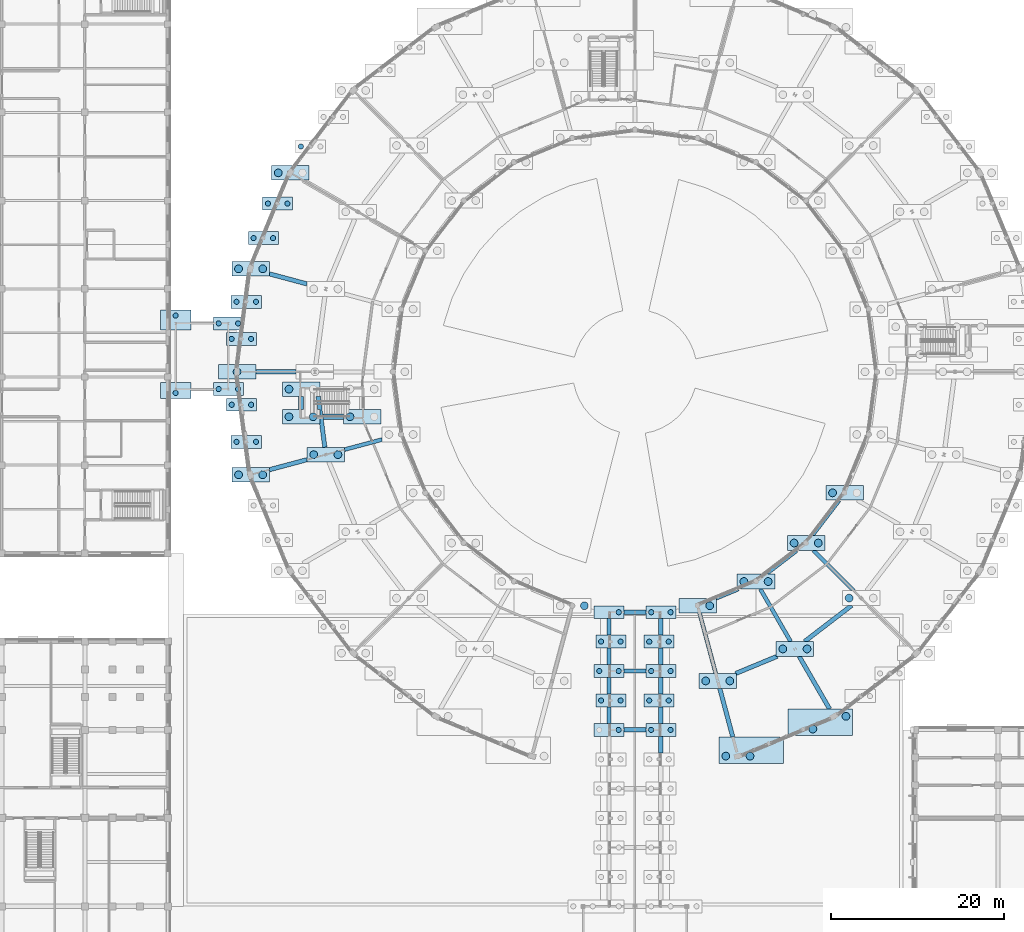
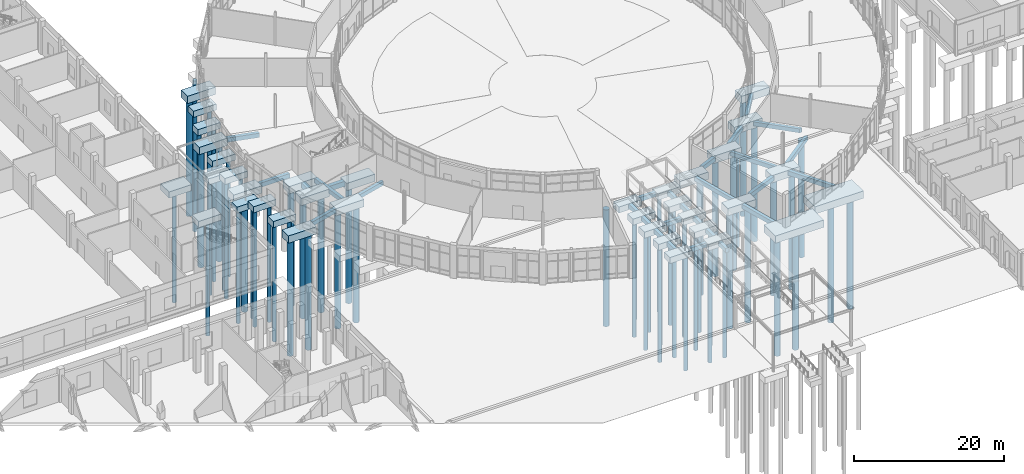
# One storey, part 2 of 137: 65 footings, 65 piles.
"""IFC4 building model written with IfcOpenShell, lengths in metres."""

from ifc_helpers import new_model, si_unit, direction, frame, origin, origin_2d, place, context, subcontext, project, spatial, polyline, rectangle, circle, outline, extrude, material, material_profile, profile_set, type_object, element, save


model = new_model("IFC4")

# Units and contexts
model_context = context("Model", 3, precision=1e-05, world=origin(), true_north=direction((0.0, 1.0)))
body_context = subcontext(model_context, "Body", "Model", "MODEL_VIEW")
ifc_project = project(units=[si_unit("LENGTHUNIT", "METRE"), si_unit("AREAUNIT", "SQUARE_METRE"), si_unit("VOLUMEUNIT", "CUBIC_METRE"), si_unit("PLANEANGLEUNIT", "RADIAN"), si_unit("MASSUNIT", "GRAM", prefix="KILO")], contexts=[model_context])

# Site, building, storey
site_placement = place(None, origin())
site = spatial("IfcSite", under=ifc_project, at=site_placement, CompositionType="ELEMENT")
building_placement = place(site_placement, origin())
building = spatial("IfcBuilding", under=site, at=building_placement, Name="Vondelvale Polytechnic", CompositionType="ELEMENT")
storey_placement = place(building_placement, origin())
storey = spatial("IfcBuildingStorey", under=building, at=storey_placement, Name="L00", CompositionType="ELEMENT", Elevation=0.0)

# Footings
ifc_material = material(Name="Concrete N40 (f'c = 40 MPa)", Category="concrete")
footing_type_1 = type_object("IfcFootingType", Name="GB-450x650", PredefinedType="FOOTING_BEAM", material=ifc_material)
footing_1_placement = place(storey_placement, frame((0.0, 0.0, -1.050048828125)))
element("IfcFooting", 1, at=footing_1_placement, inside=storey, type_object=footing_type_1, Name="Ground tie beam GB-098", PredefinedType="FOOTING_BEAM", context=body_context, shape_type="SweptSolid", body=[
    extrude(outline(polyline([(72.725830078125, 64.388916015625), (72.783935546875, 64.171630859375), (72.783935546875, 63.938720703125), (68.4892578125, 62.787841796875), (68.430908203125, 63.005126953125), (68.430908203125, 63.23828125), (72.725830078125, 64.388916015625)])), origin(), (0.0, 0.0, 1.0), 0.650146484375),
])
footing_2_placement = place(storey_placement, frame((0.0, 0.0, -1.050048828125)))
element("IfcFooting", 2, at=footing_2_placement, inside=storey, type_object=footing_type_1, Name="Ground tie beam GB-108", PredefinedType="FOOTING_BEAM", context=body_context, shape_type="SweptSolid", body=[
    extrude(outline(polyline([(109.25732421875, 44.0458984375), (109.474609375, 44.10400390625), (109.70751953125, 44.10400390625), (111.56591796875, 37.169189453125), (111.348388671875, 37.111083984375), (111.115478515625, 37.111083984375), (109.25732421875, 44.0458984375)])), origin(), (0.0, 0.0, 1.0), 0.650146484375),
])
footing_3_placement = place(storey_placement, frame((0.0, 0.0, -1.050048828125)))
element("IfcFooting", 3, at=footing_3_placement, inside=storey, type_object=footing_type_1, Name="Ground tie beam GB-110", PredefinedType="FOOTING_BEAM", context=body_context, shape_type="SweptSolid", body=[
    extrude(outline(polyline([(116.296142578125, 46.78857421875), (116.490966796875, 46.90087890625), (116.750732421875, 46.90087890625), (120.2041015625, 40.91943359375), (120.00927734375, 40.806884765625), (119.74951171875, 40.806884765625), (116.296142578125, 46.78857421875)])), origin(), (0.0, 0.0, 1.0), 0.650146484375),
])
footing_4_placement = place(storey_placement, frame((0.0, 0.0, -1.050048828125)))
element("IfcFooting", 4, at=footing_4_placement, inside=storey, type_object=footing_type_1, Name="Ground tie beam GB-112", PredefinedType="FOOTING_BEAM", context=body_context, shape_type="SweptSolid", body=[
    extrude(outline(polyline([(122.489990234375, 51.19189453125), (122.64892578125, 51.35107421875), (122.96728515625, 51.35107421875), (127.47216796875, 46.84619140625), (127.31298828125, 46.68701171875), (126.994873046875, 46.68701171875), (122.489990234375, 51.19189453125)])), origin(), (0.0, 0.0, 1.0), 0.650146484375),
])
footing_type_2 = type_object("IfcFootingType", Name="GB-500x700", PredefinedType="FOOTING_BEAM", material=ifc_material)
footing_5_placement = place(storey_placement, frame((0.0, 0.0, -1.10009765625)))
element("IfcFooting", 5, at=footing_5_placement, inside=storey, type_object=footing_type_2, Name="Ground tie beam GB-095", PredefinedType="FOOTING_BEAM", context=body_context, shape_type="SweptSolid", body=[
    extrude(outline(polyline([(59.8017578125, 83.56591796875), (64.091064453125, 82.41650390625), (64.091064453125, 82.15771484375), (64.0263671875, 81.916259765625), (59.737060546875, 83.0654296875), (59.737060546875, 83.32421875), (59.8017578125, 83.56591796875)])), origin(), (0.0, 0.0, 1.0), 0.7001953125),
])
footing_6_placement = place(storey_placement, frame((0.0, 0.0, -1.10009765625)))
element("IfcFooting", 6, at=footing_6_placement, inside=storey, type_object=footing_type_2, Name="Ground tie beam GB-097", PredefinedType="FOOTING_BEAM", context=body_context, shape_type="SweptSolid", body=[
    extrude(outline(polyline([(62.830078125, 72.25), (62.830078125, 71.75), (58.169921875, 71.75), (58.169921875, 72.25), (62.830078125, 72.25)])), origin(), (0.0, 0.0, 1.0), 0.7001953125),
])
footing_7_placement = place(storey_placement, frame((0.0, 0.0, -1.10009765625)))
element("IfcFooting", 7, at=footing_7_placement, inside=storey, type_object=footing_type_2, Name="Ground tie beam GB-099", PredefinedType="FOOTING_BEAM", context=body_context, shape_type="SweptSolid", body=[
    extrude(outline(polyline([(64.0263671875, 62.083740234375), (64.091064453125, 61.84228515625), (64.091064453125, 61.58349609375), (59.8017578125, 60.43408203125), (59.737060546875, 60.67578125), (59.737060546875, 60.9345703125), (64.0263671875, 62.083740234375)])), origin(), (0.0, 0.0, 1.0), 0.7001953125),
])
footing_8_placement = place(storey_placement, frame((0.0, 0.0, -1.10009765625)))
element("IfcFooting", 8, at=footing_8_placement, inside=storey, type_object=footing_type_2, Name="Ground tie beam GB-109", PredefinedType="FOOTING_BEAM", context=body_context, shape_type="SweptSolid", body=[
    extrude(outline(polyline([(111.5625, 35.34619140625), (111.803955078125, 35.410888671875), (112.062744140625, 35.410888671875), (113.55224609375, 29.852783203125), (113.310791015625, 29.7880859375), (113.052001953125, 29.7880859375), (111.5625, 35.34619140625)])), origin(), (0.0, 0.0, 1.0), 0.7001953125),
])
footing_9_placement = place(storey_placement, frame((0.0, 0.0, -1.10009765625)))
element("IfcFooting", 9, at=footing_9_placement, inside=storey, type_object=footing_type_2, Name="Ground tie beam GB-111", PredefinedType="FOOTING_BEAM", context=body_context, shape_type="SweptSolid", body=[
    extrude(outline(polyline([(120.7744140625, 38.98193359375), (120.99072265625, 39.10693359375), (121.279541015625, 39.10693359375), (124.7255859375, 33.137939453125), (124.509033203125, 33.012939453125), (124.220458984375, 33.012939453125), (120.7744140625, 38.98193359375)])), origin(), (0.0, 0.0, 1.0), 0.7001953125),
])
footing_10_placement = place(storey_placement, frame((0.0, 0.0, -1.10009765625)))
element("IfcFooting", 10, at=footing_10_placement, inside=storey, type_object=footing_type_2, Name="Ground tie beam GB-142", PredefinedType="FOOTING_BEAM", context=body_context, shape_type="SweptSolid", body=[
    extrude(outline(polyline([(65.127197265625, 69.117431640625), (65.375244140625, 69.14990234375), (65.570068359375, 69.14990234375), (65.570068359375, 69.175537109375), (65.623046875, 69.1826171875), (66.396484375, 63.306640625), (66.148681640625, 63.27392578125), (65.896484375, 63.27392578125), (65.544189453125, 65.949951171875), (65.570068359375, 65.949951171875), (65.570068359375, 67.64990234375), (65.320556640625, 67.64990234375), (65.127197265625, 69.117431640625)])), origin(), (0.0, 0.0, 1.0), 0.7001953125),
])
footing_11_placement = place(storey_placement, frame((0.0, 0.0, -1.10009765625)))
element("IfcFooting", 11, at=footing_11_placement, inside=storey, type_object=footing_type_2, Name="Ground tie beam GB-151", PredefinedType="FOOTING_BEAM", context=body_context, shape_type="SweptSolid", body=[
    extrude(outline(polyline([(114.042724609375, 46.669921875), (111.4169921875, 45.58251953125), (111.4169921875, 45.803955078125), (111.298828125, 45.803955078125), (111.203125, 46.034912109375), (113.830078125, 47.123046875), (113.830078125, 46.90087890625), (113.947265625, 46.90087890625), (114.042724609375, 46.669921875)])), origin(), (0.0, 0.0, 1.0), 0.7001953125),
])
footing_12_placement = place(storey_placement, frame((0.0, 0.0, -1.10009765625)))
element("IfcFooting", 12, at=footing_12_placement, inside=storey, type_object=footing_type_2, Name="Ground tie beam GB-152", PredefinedType="FOOTING_BEAM", context=body_context, shape_type="SweptSolid", body=[
    extrude(outline(polyline([(118.54345703125, 38.8759765625), (113.74609375, 36.888916015625), (113.74609375, 37.111083984375), (113.629150390625, 37.111083984375), (113.533447265625, 37.342041015625), (118.330078125, 39.328857421875), (118.330078125, 39.10693359375), (118.44775390625, 39.10693359375), (118.54345703125, 38.8759765625)])), origin(), (0.0, 0.0, 1.0), 0.7001953125),
])
footing_13_placement = place(storey_placement, frame((0.0, 0.0, -1.10009765625)))
element("IfcFooting", 13, at=footing_13_placement, inside=storey, type_object=footing_type_2, Name="Ground tie beam GB-153", PredefinedType="FOOTING_BEAM", context=body_context, shape_type="SweptSolid", body=[
    extrude(outline(polyline([(120.843505859375, 51.152587890625), (117.51806640625, 48.60107421875), (117.107421875, 48.60107421875), (116.955078125, 48.79931640625), (120.280517578125, 51.35107421875), (120.69140625, 51.35107421875), (120.843505859375, 51.152587890625)])), origin(), (0.0, 0.0, 1.0), 0.7001953125),
])
footing_14_placement = place(storey_placement, frame((0.0, 0.0, -1.10009765625)))
element("IfcFooting", 14, at=footing_14_placement, inside=storey, type_object=footing_type_2, Name="Ground tie beam GB-154", PredefinedType="FOOTING_BEAM", context=body_context, shape_type="SweptSolid", body=[
    extrude(outline(polyline([(127.20751953125, 44.788818359375), (122.018310546875, 40.806884765625), (121.607666015625, 40.806884765625), (121.455322265625, 41.00537109375), (126.64453125, 44.987060546875), (127.05517578125, 44.987060546875), (127.20751953125, 44.788818359375)])), origin(), (0.0, 0.0, 1.0), 0.7001953125),
])
footing_15_placement = place(storey_placement, frame((0.0, 0.0, -1.10009765625)))
element("IfcFooting", 15, at=footing_15_placement, inside=storey, type_object=footing_type_2, Name="Ground tie beam GB-155", PredefinedType="FOOTING_BEAM", context=body_context, shape_type="SweptSolid", body=[
    extrude(outline(polyline([(125.794921875, 56.997802734375), (122.766357421875, 53.051025390625), (122.451171875, 53.051025390625), (122.2529296875, 53.203125), (125.281494140625, 57.14990234375), (125.596435546875, 57.14990234375), (125.794921875, 56.997802734375)])), origin(), (0.0, 0.0, 1.0), 0.7001953125),
])
footing_16_placement = place(storey_placement, frame((0.0, 0.0, -1.449951171875)))
element("IfcFooting", 16, at=footing_16_placement, inside=storey, type_object=footing_type_2, Name="Ground tie beam GB-187", PredefinedType="FOOTING_BEAM", context=body_context, shape_type="SweptSolid", body=[
    extrude(outline(polyline([(100.7451171875, 30.35009765625), (100.7451171875, 30.85009765625), (103.2548828125, 30.85009765625), (103.2548828125, 30.35009765625), (100.7451171875, 30.35009765625)])), origin(), (0.0, 0.0, 1.0), 0.699951171875),
])
footing_17_placement = place(storey_placement, frame((0.0, 0.0, -1.449951171875)))
element("IfcFooting", 17, at=footing_17_placement, inside=storey, type_object=footing_type_2, Name="Ground tie beam GB-188", PredefinedType="FOOTING_BEAM", context=body_context, shape_type="SweptSolid", body=[
    extrude(outline(polyline([(100.7451171875, 37.14990234375), (100.7451171875, 37.64990234375), (103.2548828125, 37.64990234375), (103.2548828125, 37.14990234375), (100.7451171875, 37.14990234375)])), origin(), (0.0, 0.0, 1.0), 0.699951171875),
])
footing_18_placement = place(storey_placement, frame((0.0, 0.0, -1.449951171875)))
element("IfcFooting", 18, at=footing_18_placement, inside=storey, type_object=footing_type_2, Name="Ground tie beam GB-189", PredefinedType="FOOTING_BEAM", context=body_context, shape_type="SweptSolid", body=[
    extrude(outline(polyline([(100.7451171875, 43.949951171875), (100.7451171875, 44.449951171875), (103.2548828125, 44.449951171875), (103.2548828125, 43.949951171875), (100.7451171875, 43.949951171875)])), origin(), (0.0, 0.0, 1.0), 0.699951171875),
])
footing_19_placement = place(storey_placement, frame((0.0, 0.0, -1.449951171875)))
element("IfcFooting", 19, at=footing_19_placement, inside=storey, type_object=footing_type_2, Name="Ground tie beam GB-201", PredefinedType="FOOTING_BEAM", context=body_context, shape_type="SweptSolid", body=[
    extrude(outline(polyline([(105.25, 27.949951171875), (104.75, 27.949951171875), (104.75, 29.85009765625), (105.25, 29.85009765625), (105.25, 27.949951171875)])), origin(), (0.0, 0.0, 1.0), 0.699951171875),
])
footing_20_placement = place(storey_placement, frame((0.0, 0.0, -1.449951171875)))
element("IfcFooting", 20, at=footing_20_placement, inside=storey, type_object=footing_type_2, Name="Ground tie beam GB-202", PredefinedType="FOOTING_BEAM", context=body_context, shape_type="SweptSolid", body=[
    extrude(outline(polyline([(99.25, 31.35009765625), (98.75, 31.35009765625), (98.75, 33.25), (99.25, 33.25), (99.25, 31.35009765625)])), origin(), (0.0, 0.0, 1.0), 0.699951171875),
])
footing_21_placement = place(storey_placement, frame((0.0, 0.0, -1.449951171875)))
element("IfcFooting", 21, at=footing_21_placement, inside=storey, type_object=footing_type_2, Name="Ground tie beam GB-203", PredefinedType="FOOTING_BEAM", context=body_context, shape_type="SweptSolid", body=[
    extrude(outline(polyline([(99.25, 34.75), (98.75, 34.75), (98.75, 36.64990234375), (99.25, 36.64990234375), (99.25, 34.75)])), origin(), (0.0, 0.0, 1.0), 0.699951171875),
])
footing_22_placement = place(storey_placement, frame((0.0, 0.0, -1.449951171875)))
element("IfcFooting", 22, at=footing_22_placement, inside=storey, type_object=footing_type_2, Name="Ground tie beam GB-204", PredefinedType="FOOTING_BEAM", context=body_context, shape_type="SweptSolid", body=[
    extrude(outline(polyline([(105.25, 31.35009765625), (104.75, 31.35009765625), (104.75, 33.25), (105.25, 33.25), (105.25, 31.35009765625)])), origin(), (0.0, 0.0, 1.0), 0.699951171875),
])
footing_23_placement = place(storey_placement, frame((0.0, 0.0, -1.449951171875)))
element("IfcFooting", 23, at=footing_23_placement, inside=storey, type_object=footing_type_2, Name="Ground tie beam GB-205", PredefinedType="FOOTING_BEAM", context=body_context, shape_type="SweptSolid", body=[
    extrude(outline(polyline([(105.25, 34.75), (104.75, 34.75), (104.75, 36.64990234375), (105.25, 36.64990234375), (105.25, 34.75)])), origin(), (0.0, 0.0, 1.0), 0.699951171875),
])
footing_24_placement = place(storey_placement, frame((0.0, 0.0, -1.449951171875)))
element("IfcFooting", 24, at=footing_24_placement, inside=storey, type_object=footing_type_2, Name="Ground tie beam GB-206", PredefinedType="FOOTING_BEAM", context=body_context, shape_type="SweptSolid", body=[
    extrude(outline(polyline([(99.25, 38.14990234375), (98.75, 38.14990234375), (98.75, 40.050048828125), (99.25, 40.050048828125), (99.25, 38.14990234375)])), origin(), (0.0, 0.0, 1.0), 0.699951171875),
])
footing_25_placement = place(storey_placement, frame((0.0, 0.0, -1.449951171875)))
element("IfcFooting", 25, at=footing_25_placement, inside=storey, type_object=footing_type_2, Name="Ground tie beam GB-207", PredefinedType="FOOTING_BEAM", context=body_context, shape_type="SweptSolid", body=[
    extrude(outline(polyline([(99.25, 41.550048828125), (98.75, 41.550048828125), (98.75, 43.449951171875), (99.25, 43.449951171875), (99.25, 41.550048828125)])), origin(), (0.0, 0.0, 1.0), 0.699951171875),
])
footing_26_placement = place(storey_placement, frame((0.0, 0.0, -1.449951171875)))
element("IfcFooting", 26, at=footing_26_placement, inside=storey, type_object=footing_type_2, Name="Ground tie beam GB-208", PredefinedType="FOOTING_BEAM", context=body_context, shape_type="SweptSolid", body=[
    extrude(outline(polyline([(105.25, 38.14990234375), (104.75, 38.14990234375), (104.75, 40.050048828125), (105.25, 40.050048828125), (105.25, 38.14990234375)])), origin(), (0.0, 0.0, 1.0), 0.699951171875),
])
footing_27_placement = place(storey_placement, frame((0.0, 0.0, -1.449951171875)))
element("IfcFooting", 27, at=footing_27_placement, inside=storey, type_object=footing_type_2, Name="Ground tie beam GB-209", PredefinedType="FOOTING_BEAM", context=body_context, shape_type="SweptSolid", body=[
    extrude(outline(polyline([(105.25, 41.550048828125), (104.75, 41.550048828125), (104.75, 43.449951171875), (105.25, 43.449951171875), (105.25, 41.550048828125)])), origin(), (0.0, 0.0, 1.0), 0.699951171875),
])
footing_type_3 = type_object("IfcFootingType", Name="GB-600x800", PredefinedType="FOOTING_BEAM", material=ifc_material)
footing_28_placement = place(storey_placement, frame((0.0, 0.0, -1.199951171875)))
element("IfcFooting", 28, at=footing_28_placement, inside=storey, type_object=footing_type_3, Name="Ground tie beam GB-217", PredefinedType="FOOTING_BEAM", context=body_context, shape_type="SweptSolid", body=[
    extrude(outline(polyline([(63.10009765625, 69.14990234375), (63.699951171875, 69.14990234375), (63.699951171875, 67.64990234375), (63.10009765625, 67.64990234375), (63.10009765625, 69.14990234375)])), origin(), (0.0, 0.0, 1.0), 0.800048828125),
])
footing_29_placement = place(storey_placement, frame((0.0, 0.0, -1.199951171875)))
element("IfcFooting", 29, at=footing_29_placement, inside=storey, type_object=footing_type_3, Name="Ground tie beam GB-218", PredefinedType="FOOTING_BEAM", context=body_context, shape_type="SweptSolid", body=[
    extrude(outline(polyline([(65.976318359375, 66.5), (65.936767578125, 66.800048828125), (65.936767578125, 67.10009765625), (68.280029296875, 67.10009765625), (68.280029296875, 66.5), (65.976318359375, 66.5)])), origin(), (0.0, 0.0, 1.0), 0.800048828125),
])
footing_type_4 = type_object("IfcFootingType", Name="PC-3490x1500x1000", PredefinedType="PILE_CAP", material=ifc_material)
for number, where, z_axis, x_axis, name in (
    (30, (55.0, 70.0, -2.02001953125), (0.0, 0.0, 1.0), (1.0, 0.0, 0.0), "Pile cap PC-084"),
    (31, (55.0, 77.60009765625, -2.02001953125), (0.0, 0.0, 1.0), (1.0, 0.0, 0.0), "Pile cap PC-085"),
    (32, (56.501953125, 68.18994140625, -1.39990234375), (0.0, 0.0, 1.0), (1.0, 0.0, 0.0), "Pile cap PC-087"),
    (33, (56.501953125, 75.81005859375, -1.39990234375), (0.0, 0.0, 1.0), (1.0, 0.0, 0.0), "Pile cap PC-088"),
    (34, (57.06591796875, 63.904052734375, -1.39990234375), (0.0, 0.0, 1.0), (1.0, 0.0, 0.0), "Pile cap PC-089"),
    (35, (57.06591796875, 80.095947265625, -1.39990234375), (0.0, 0.0, 1.0), (1.0, 0.0, 0.0), "Pile cap PC-090"),
    (36, (59.0380859375, 87.4560546875, -1.39990234375), (0.0, 0.0, 1.0), (1.0, 0.0, 0.0), "Pile cap PC-094"),
    (37, (60.69189453125, 91.449951171875, -1.39990234375), (0.0, 0.0, 1.0), (1.0, 0.0, 0.0), "Pile cap PC-096"),
    (38, (99.0, 30.60009765625, -1.75), (0.0, 0.0, 1.0), (1.0, 0.0, 0.0), "Pile cap PC-146"),
    (39, (99.0, 37.39990234375, -1.75), (0.0, 0.0, 1.0), (1.0, 0.0, 0.0), "Pile cap PC-147"),
    (40, (99.0, 44.199951171875, -1.75), (0.0, 0.0, 1.0), (1.0, 0.0, 0.0), "Pile cap PC-148"),
    (41, (99.219970703125, 34.0, -1.75), (0.0, 0.0, 1.0), (1.0, 0.0, 0.0), "Pile cap PC-152"),
    (42, (99.219970703125, 40.800048828125, -1.75), (0.0, 0.0, 1.0), (1.0, 0.0, 0.0), "Pile cap PC-153"),
    (43, (104.780029296875, 34.0, -1.75), (0.0, 0.0, 1.0), (1.0, 0.0, 0.0), "Pile cap PC-158"),
    (44, (104.780029296875, 40.800048828125, -1.75), (0.0, 0.0, 1.0), (1.0, 0.0, 0.0), "Pile cap PC-159"),
    (45, (105.0, 30.60009765625, -1.75), (0.0, 0.0, 1.0), (1.0, 0.0, 0.0), "Pile cap PC-163"),
    (46, (105.0, 37.39990234375, -1.75), (0.0, 0.0, 1.0), (1.0, 0.0, 0.0), "Pile cap PC-164"),
    (47, (105.0, 44.199951171875, -1.75), (0.0, 0.0, 1.0), (1.0, 0.0, 0.0), "Pile cap PC-165"),
):
    element("IfcFooting", number, at=place(storey_placement, frame(where, z_axis=z_axis, x_axis=x_axis)), inside=storey, type_object=footing_type_4, Name=name, PredefinedType="PILE_CAP", context=body_context, shape_type="SweptSolid", body=[
        extrude(rectangle(XDim=3.489990234375, YDim=1.5, at=origin_2d()), origin(), (0.0, 0.0, 1.0), 1.0),
    ])
footing_type_5 = type_object("IfcFootingType", Name="PC-3490x1820x1000", PredefinedType="PILE_CAP", material=ifc_material)
footing_30_placement = place(storey_placement, frame((48.89990234375, 69.840087890625, -2.02001953125), z_axis=(0.0, 0.0, 1.0), x_axis=(1.0, 0.0, 0.0)))
element("IfcFooting", 48, at=footing_30_placement, inside=storey, type_object=footing_type_5, Name="Pile cap PC-082", PredefinedType="PILE_CAP", context=body_context, shape_type="SweptSolid", body=[
    extrude(rectangle(XDim=3.489990234375, YDim=1.820068359375, at=origin_2d()), origin(), (0.0, 0.0, 1.0), 1.0),
])
footing_type_6 = type_object("IfcFootingType", Name="PC-3490x2270x1000", PredefinedType="PILE_CAP", material=ifc_material)
footing_31_placement = place(storey_placement, frame((48.89990234375, 77.985107421875, -2.02001953125), z_axis=(0.0, 0.0, 1.0), x_axis=(1.0, 0.0, 0.0)))
element("IfcFooting", 49, at=footing_31_placement, inside=storey, type_object=footing_type_6, Name="Pile cap PC-083", PredefinedType="PILE_CAP", context=body_context, shape_type="SweptSolid", body=[
    extrude(rectangle(XDim=3.489990234375, YDim=2.27001953125, at=origin_2d()), origin(), (0.0, 0.0, 1.0), 1.0),
])
footing_type_7 = type_object("IfcFootingType", Name="PC-4340x1700x1200", PredefinedType="PILE_CAP", material=ifc_material)
for number, where, z_axis, x_axis, name in (
    (50, (56.0, 72.0, -1.60009765625), (0.0, 0.0, 1.0), (1.0, 0.0, 0.0), "Pile cap PC-086"),
    (51, (57.56689453125, 60.093994140625, -1.60009765625), (0.0, 0.0, 1.0), (1.0, 0.0, 0.0), "Pile cap PC-091"),
    (52, (57.56689453125, 83.906005859375, -1.60009765625), (0.0, 0.0, 1.0), (1.0, 0.0, 0.0), "Pile cap PC-092"),
    (53, (62.1630859375, 95.0, -1.60009765625), (0.0, 0.0, 1.0), (1.0, 0.0, 0.0), "Pile cap PC-098"),
    (54, (63.39990234375, 66.800048828125, -1.60009765625), (0.0, 0.0, 1.0), (1.0, 0.0, 0.0), "Pile cap PC-099"),
    (55, (63.39990234375, 70.0, -1.60009765625), (0.0, 0.0, 1.0), (1.0, 0.0, 0.0), "Pile cap PC-100"),
    (56, (66.260986328125, 62.424072265625, -1.60009765625), (0.0, 0.0, 1.0), (1.0, 0.0, 0.0), "Pile cap PC-104"),
    (57, (70.449951171875, 66.800048828125, -1.60009765625), (0.0, 0.0, 1.0), (1.0, 0.0, 0.0), "Pile cap PC-112"),
    (58, (109.2470703125, 44.9541015625, -1.60009765625), (0.0, 0.0, 1.0), (1.0, 0.0, 0.0), "Pile cap PC-168"),
    (59, (111.575927734375, 36.260986328125, -1.60009765625), (0.0, 0.0, 1.0), (1.0, 0.0, 0.0), "Pile cap PC-171"),
    (60, (116.0, 47.7509765625, -1.60009765625), (0.0, 0.0, 1.0), (1.0, 0.0, 0.0), "Pile cap PC-174"),
    (61, (120.5, 39.95703125, -1.60009765625), (0.0, 0.0, 1.0), (1.0, 0.0, 0.0), "Pile cap PC-176"),
    (62, (121.799072265625, 52.200927734375, -1.60009765625), (0.0, 0.0, 1.0), (1.0, 0.0, 0.0), "Pile cap PC-180"),
    (63, (126.2490234375, 58.0, -1.60009765625), (0.0, 0.0, 1.0), (1.0, 0.0, 0.0), "Pile cap PC-182"),
):
    element("IfcFooting", number, at=place(storey_placement, frame(where, z_axis=z_axis, x_axis=x_axis)), inside=storey, type_object=footing_type_7, Name=name, PredefinedType="PILE_CAP", context=body_context, shape_type="SweptSolid", body=[
        extrude(rectangle(XDim=4.340087890625, YDim=1.699951171875, at=origin_2d()), origin(), (0.0, 0.0, 1.0), 1.199951171875),
    ])
footing_type_8 = type_object("IfcFootingType", Name="PC-7465x3071x1200", PredefinedType="PILE_CAP", material=ifc_material)
for number, where, z_axis, x_axis, name in (
    (64, (115.468994140625, 28.251953125, -1.60009765625), (0.0, 0.0, 1.0), (1.0, 0.0, 0.0), "Pile cap PC-173"),
    (65, (123.43798828125, 31.47705078125, -1.60009765625), (0.0, 0.0, 1.0), (1.0, 0.0, 0.0), "Pile cap PC-178"),
):
    element("IfcFooting", number, at=place(storey_placement, frame(where, z_axis=z_axis, x_axis=x_axis)), inside=storey, type_object=footing_type_8, Name=name, PredefinedType="PILE_CAP", context=body_context, shape_type="SweptSolid", body=[
        extrude(rectangle(XDim=7.465087890625, YDim=3.071044921875, at=origin_2d()), origin(), (0.0, 0.0, 1.0), 1.199951171875),
    ])

# Piles
ifc_material_profile_1 = material_profile(ifc_material, circle(Radius=0.300048828125, at=origin_2d()), Name="PILE-D600")
ifc_profile_set_1 = profile_set([ifc_material_profile_1], Name="Concrete N40 (f'c = 40 MPa)")
pile_type_1 = type_object("IfcPileType", Name="PILE-BORED-600", PredefinedType="BORED", material=ifc_profile_set_1)
for number, where, z_axis, x_axis, name in (
    (66, (48.89990234375, 69.550048828125, -1.8701171875), (0.0, 0.0, -1.0), (1.0, 0.0, 0.0), "Bored pile BP-600-082-1"),
    (67, (48.89990234375, 78.5, -1.8701171875), (0.0, 0.0, -1.0), (1.0, 0.0, 0.0), "Bored pile BP-600-083-1"),
    (68, (53.875, 70.0, -1.8701171875), (0.0, 0.0, -1.0), (1.0, 0.0, 0.0), "Bored pile BP-600-084-1"),
    (69, (56.125, 70.0, -1.8701171875), (0.0, 0.0, -1.0), (1.0, 0.0, 0.0), "Bored pile BP-600-084-2"),
    (70, (53.875, 77.60009765625, -1.8701171875), (0.0, 0.0, -1.0), (1.0, 0.0, 0.0), "Bored pile BP-600-085-1"),
    (71, (56.125, 77.60009765625, -1.8701171875), (0.0, 0.0, -1.0), (1.0, 0.0, 0.0), "Bored pile BP-600-085-2"),
):
    element("IfcPile", number, at=place(storey_placement, frame(where, z_axis=z_axis, x_axis=x_axis)), inside=storey, type_object=pile_type_1, Name=name, PredefinedType="BORED", context=body_context, shape_type="SweptSolid", body=[
        extrude(circle(Radius=0.300048828125, at=origin_2d()), origin(), (0.0, 0.0, 1.0), 18.6298828125),
    ])
for number, where, z_axis, x_axis, name in (
    (72, (55.376953125, 68.18994140625, -1.25), (0.0, 0.0, -1.0), (1.0, 0.0, 0.0), "Bored pile BP-600-087-1"),
    (73, (57.626953125, 68.18994140625, -1.25), (0.0, 0.0, -1.0), (1.0, 0.0, 0.0), "Bored pile BP-600-087-2"),
    (74, (55.376953125, 75.81005859375, -1.25), (0.0, 0.0, -1.0), (1.0, 0.0, 0.0), "Bored pile BP-600-088-1"),
    (75, (57.626953125, 75.81005859375, -1.25), (0.0, 0.0, -1.0), (1.0, 0.0, 0.0), "Bored pile BP-600-088-2"),
    (76, (55.94091796875, 63.904052734375, -1.25), (0.0, 0.0, -1.0), (1.0, 0.0, 0.0), "Bored pile BP-600-089-1"),
    (77, (58.19091796875, 63.904052734375, -1.25), (0.0, 0.0, -1.0), (1.0, 0.0, 0.0), "Bored pile BP-600-089-2"),
    (78, (55.94091796875, 80.095947265625, -1.25), (0.0, 0.0, -1.0), (1.0, 0.0, 0.0), "Bored pile BP-600-090-1"),
    (79, (58.19091796875, 80.095947265625, -1.25), (0.0, 0.0, -1.0), (1.0, 0.0, 0.0), "Bored pile BP-600-090-2"),
    (80, (57.9130859375, 87.4560546875, -1.25), (0.0, 0.0, -1.0), (1.0, 0.0, 0.0), "Bored pile BP-600-094-1"),
    (81, (60.1630859375, 87.4560546875, -1.25), (0.0, 0.0, -1.0), (1.0, 0.0, 0.0), "Bored pile BP-600-094-2"),
    (82, (59.56689453125, 91.449951171875, -1.25), (0.0, 0.0, -1.0), (1.0, 0.0, 0.0), "Bored pile BP-600-096-1"),
    (83, (61.81689453125, 91.449951171875, -1.25), (0.0, 0.0, -1.0), (1.0, 0.0, 0.0), "Bored pile BP-600-096-2"),
    (84, (63.376953125, 98.049072265625, -1.25), (0.0, 0.0, -1.0), (1.0, 0.0, 0.0), "Bored pile BP-600-102-1"),
):
    element("IfcPile", number, at=place(storey_placement, frame(where, z_axis=z_axis, x_axis=x_axis)), inside=storey, type_object=pile_type_1, Name=name, PredefinedType="BORED", context=body_context, shape_type="SweptSolid", body=[
        extrude(circle(Radius=0.300048828125, at=origin_2d()), origin(), (0.0, 0.0, 1.0), 19.25),
    ])
for number, where, z_axis, x_axis, name in (
    (85, (100.125, 30.60009765625, -1.60009765625), (0.0, 0.0, -1.0), (1.0, 0.0, 0.0), "Bored pile BP-600-146-2"),
    (86, (97.875, 37.39990234375, -1.60009765625), (0.0, 0.0, -1.0), (1.0, 0.0, 0.0), "Bored pile BP-600-147-1"),
    (87, (100.125, 37.39990234375, -1.60009765625), (0.0, 0.0, -1.0), (1.0, 0.0, 0.0), "Bored pile BP-600-147-2"),
    (88, (100.125, 44.199951171875, -1.60009765625), (0.0, 0.0, -1.0), (1.0, 0.0, 0.0), "Bored pile BP-600-148-1"),
    (89, (98.094970703125, 34.0, -1.60009765625), (0.0, 0.0, -1.0), (1.0, 0.0, 0.0), "Bored pile BP-600-152-1"),
    (90, (100.344970703125, 34.0, -1.60009765625), (0.0, 0.0, -1.0), (1.0, 0.0, 0.0), "Bored pile BP-600-152-2"),
    (91, (98.094970703125, 40.800048828125, -1.60009765625), (0.0, 0.0, -1.0), (1.0, 0.0, 0.0), "Bored pile BP-600-153-1"),
    (92, (100.344970703125, 40.800048828125, -1.60009765625), (0.0, 0.0, -1.0), (1.0, 0.0, 0.0), "Bored pile BP-600-153-2"),
    (93, (103.655029296875, 34.0, -1.60009765625), (0.0, 0.0, -1.0), (1.0, 0.0, 0.0), "Bored pile BP-600-158-1"),
    (94, (105.905029296875, 34.0, -1.60009765625), (0.0, 0.0, -1.0), (1.0, 0.0, 0.0), "Bored pile BP-600-158-2"),
    (95, (103.655029296875, 40.800048828125, -1.60009765625), (0.0, 0.0, -1.0), (1.0, 0.0, 0.0), "Bored pile BP-600-159-1"),
    (96, (105.905029296875, 40.800048828125, -1.60009765625), (0.0, 0.0, -1.0), (1.0, 0.0, 0.0), "Bored pile BP-600-159-2"),
    (97, (103.875, 30.60009765625, -1.60009765625), (0.0, 0.0, -1.0), (1.0, 0.0, 0.0), "Bored pile BP-600-163-1"),
    (98, (106.125, 30.60009765625, -1.60009765625), (0.0, 0.0, -1.0), (1.0, 0.0, 0.0), "Bored pile BP-600-163-2"),
    (99, (103.875, 37.39990234375, -1.60009765625), (0.0, 0.0, -1.0), (1.0, 0.0, 0.0), "Bored pile BP-600-164-1"),
    (100, (106.125, 37.39990234375, -1.60009765625), (0.0, 0.0, -1.0), (1.0, 0.0, 0.0), "Bored pile BP-600-164-2"),
    (101, (103.875, 44.199951171875, -1.60009765625), (0.0, 0.0, -1.0), (1.0, 0.0, 0.0), "Bored pile BP-600-165-1"),
    (102, (106.125, 44.199951171875, -1.60009765625), (0.0, 0.0, -1.0), (1.0, 0.0, 0.0), "Bored pile BP-600-165-2"),
):
    element("IfcPile", number, at=place(storey_placement, frame(where, z_axis=z_axis, x_axis=x_axis)), inside=storey, type_object=pile_type_1, Name=name, PredefinedType="BORED", context=body_context, shape_type="SweptSolid", body=[
        extrude(circle(Radius=0.300048828125, at=origin_2d()), origin(), (0.0, 0.0, 1.0), 18.89990234375),
    ])
ifc_material_profile_2 = material_profile(ifc_material, circle(Radius=0.449951171875, at=origin_2d()), Name="PILE-D900")
ifc_profile_set_2 = profile_set([ifc_material_profile_2], Name="Concrete N40 (f'c = 40 MPa)")
pile_type_2 = type_object("IfcPileType", Name="PILE-BORED-900", PredefinedType="BORED", material=ifc_profile_set_2)
for number, where, z_axis, x_axis, name in (
    (103, (56.0, 72.0, -1.449951171875), (0.0, 0.0, -1.0), (1.0, 0.0, 0.0), "Bored pile BP-900-086-1"),
    (104, (56.1669921875, 60.093994140625, -1.449951171875), (0.0, 0.0, -1.0), (1.0, 0.0, 0.0), "Bored pile BP-900-091-1"),
    (105, (58.967041015625, 60.093994140625, -1.449951171875), (0.0, 0.0, -1.0), (1.0, 0.0, 0.0), "Bored pile BP-900-091-2"),
    (106, (56.1669921875, 83.906005859375, -1.449951171875), (0.0, 0.0, -1.0), (1.0, 0.0, 0.0), "Bored pile BP-900-092-1"),
    (107, (58.967041015625, 83.906005859375, -1.449951171875), (0.0, 0.0, -1.0), (1.0, 0.0, 0.0), "Bored pile BP-900-092-2"),
    (108, (60.762939453125, 95.0, -1.449951171875), (0.0, 0.0, -1.0), (1.0, 0.0, 0.0), "Bored pile BP-900-098-1"),
    (109, (62.0, 66.800048828125, -1.449951171875), (0.0, 0.0, -1.0), (1.0, 0.0, 0.0), "Bored pile BP-900-099-1"),
    (110, (64.800048828125, 66.800048828125, -1.449951171875), (0.0, 0.0, -1.0), (1.0, 0.0, 0.0), "Bored pile BP-900-099-2"),
    (111, (62.0, 70.0, -1.449951171875), (0.0, 0.0, -1.0), (1.0, 0.0, 0.0), "Bored pile BP-900-100-1"),
    (112, (64.861083984375, 62.424072265625, -1.449951171875), (0.0, 0.0, -1.0), (1.0, 0.0, 0.0), "Bored pile BP-900-104-1"),
    (113, (67.660888671875, 62.424072265625, -1.449951171875), (0.0, 0.0, -1.0), (1.0, 0.0, 0.0), "Bored pile BP-900-104-2"),
    (114, (69.050048828125, 66.800048828125, -1.449951171875), (0.0, 0.0, -1.0), (1.0, 0.0, 0.0), "Bored pile BP-900-112-1"),
    (115, (96.153076171875, 44.9541015625, -1.449951171875), (0.0, 0.0, -1.0), (1.0, 0.0, 0.0), "Bored pile BP-900-137-2"),
    (116, (110.64697265625, 44.9541015625, -1.449951171875), (0.0, 0.0, -1.0), (1.0, 0.0, 0.0), "Bored pile BP-900-168-1"),
    (117, (110.176025390625, 36.260986328125, -1.449951171875), (0.0, 0.0, -1.0), (1.0, 0.0, 0.0), "Bored pile BP-900-171-1"),
    (118, (112.97607421875, 36.260986328125, -1.449951171875), (0.0, 0.0, -1.0), (1.0, 0.0, 0.0), "Bored pile BP-900-171-2"),
    (119, (112.506103515625, 27.56689453125, -1.449951171875), (0.0, 0.0, -1.0), (1.0, 0.0, 0.0), "Bored pile BP-900-173-1"),
    (120, (115.305908203125, 27.56689453125, -1.449951171875), (0.0, 0.0, -1.0), (1.0, 0.0, 0.0), "Bored pile BP-900-173-2"),
    (121, (114.60009765625, 47.7509765625, -1.449951171875), (0.0, 0.0, -1.0), (1.0, 0.0, 0.0), "Bored pile BP-900-174-1"),
    (122, (117.39990234375, 47.7509765625, -1.449951171875), (0.0, 0.0, -1.0), (1.0, 0.0, 0.0), "Bored pile BP-900-174-2"),
    (123, (119.10009765625, 39.95703125, -1.449951171875), (0.0, 0.0, -1.0), (1.0, 0.0, 0.0), "Bored pile BP-900-176-1"),
    (124, (121.89990234375, 39.95703125, -1.449951171875), (0.0, 0.0, -1.0), (1.0, 0.0, 0.0), "Bored pile BP-900-176-2"),
    (125, (122.574951171875, 30.69189453125, -1.449951171875), (0.0, 0.0, -1.0), (1.0, 0.0, 0.0), "Bored pile BP-900-178-1"),
    (126, (126.39990234375, 32.1630859375, -1.449951171875), (0.0, 0.0, -1.0), (1.0, 0.0, 0.0), "Bored pile BP-900-178-2"),
    (127, (120.39892578125, 52.200927734375, -1.449951171875), (0.0, 0.0, -1.0), (1.0, 0.0, 0.0), "Bored pile BP-900-180-1"),
    (128, (123.198974609375, 52.200927734375, -1.449951171875), (0.0, 0.0, -1.0), (1.0, 0.0, 0.0), "Bored pile BP-900-180-2"),
    (129, (124.84912109375, 58.0, -1.449951171875), (0.0, 0.0, -1.0), (1.0, 0.0, 0.0), "Bored pile BP-900-182-1"),
    (130, (126.762939453125, 45.8369140625, -1.449951171875), (0.0, 0.0, -1.0), (1.0, 0.0, 0.0), "Bored pile BP-900-186-1"),
):
    element("IfcPile", number, at=place(storey_placement, frame(where, z_axis=z_axis, x_axis=x_axis)), inside=storey, type_object=pile_type_2, Name=name, PredefinedType="BORED", context=body_context, shape_type="SweptSolid", body=[
        extrude(circle(Radius=0.449951171875, at=origin_2d()), origin(), (0.0, 0.0, 1.0), 19.050048828125),
    ])

save(model, "model.ifc")
